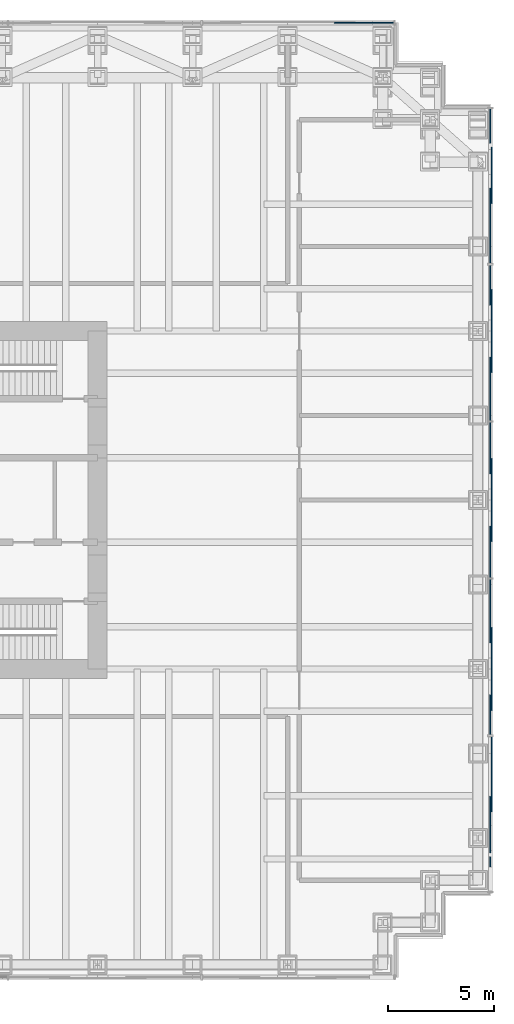
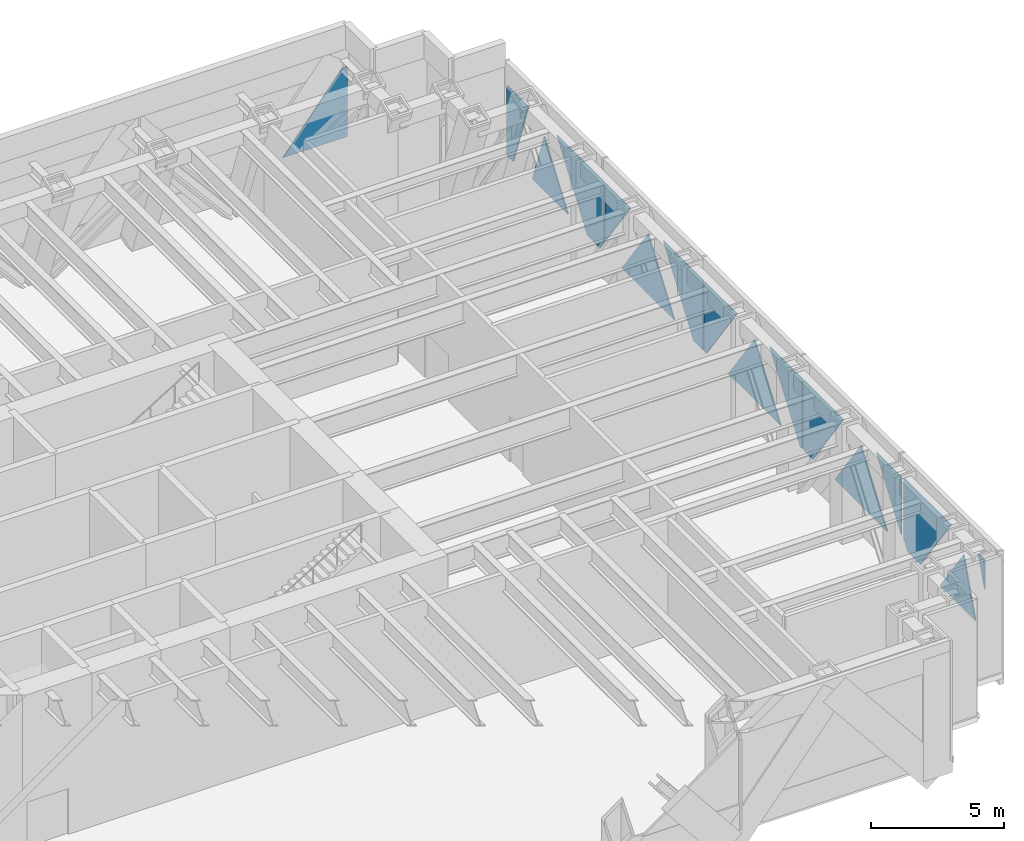
# One storey, part 12 of 16: 16 plates, 2 elements without a shape of their own.
"""IFC4 building model written with IfcOpenShell, lengths in metres."""

from ifc_helpers import new_model, si_unit, direction, frame, origin, place, context, subcontext, project, spatial, polyline, outline, extrude, material, layer, layer_set, type_object, element, aggregate, save


model = new_model("IFC4")

# Units and contexts
model_context = context("Model", 3, precision=1e-05, world=origin(), true_north=direction((0.0, 1.0)))
body_context = subcontext(model_context, "Body", "Model", "MODEL_VIEW")
ifc_project = project(units=[si_unit("LENGTHUNIT", "METRE"), si_unit("AREAUNIT", "SQUARE_METRE"), si_unit("VOLUMEUNIT", "CUBIC_METRE"), si_unit("PLANEANGLEUNIT", "RADIAN"), si_unit("MASSUNIT", "GRAM", prefix="KILO")], contexts=[model_context])

# Site, building, storey
site_placement = place(None, origin())
site = spatial("IfcSite", under=ifc_project, at=site_placement, CompositionType="ELEMENT")
building_placement = place(site_placement, origin())
building = spatial("IfcBuilding", under=site, at=building_placement, Name="Rheinbord Bourse Tower", CompositionType="ELEMENT")
storey_placement = place(building_placement, frame((0.0, 0.0, 180.300048828125)))
storey = spatial("IfcBuildingStorey", under=building, at=storey_placement, Name="L40", CompositionType="ELEMENT", Elevation=180.300048828125)

# Curtain wall, plates
ifc_material_1 = material(Name="Dark glass and black aluminium", Category="aluminium")
curtain_wall_type = type_object("IfcCurtainWallType", Name="CW5 DARK GLASS CURTAIN WALL", PredefinedType="USERDEFINED", material=ifc_material_1)
curtain_wall_1_placement = place(storey_placement, origin())
curtain_wall_1 = element("IfcCurtainWall", 1, at=curtain_wall_1_placement, inside=storey, type_object=curtain_wall_type, Name="Curtain wall CW5 E L40", ObjectType="UNITISED CURTAIN WALL", PredefinedType="USERDEFINED")
ifc_material_2 = material(Name="Dark tinted triple insulating glass", Category="glass")
ifc_layer = layer(ifc_material_2, 0.050048828125)
ifc_layer_set = layer_set([ifc_layer], Name="CW5 DARK GLASS PANEL")
plate_type = type_object("IfcPlateType", Name="CW5 DARK GLASS PANEL", PredefinedType="CURTAIN_PANEL", material=ifc_layer_set)
plate_1_placement = place(storey_placement, frame((72.625, 7.10205078125, 4.349853515625), z_axis=(-1.0, 0.0, 0.0), x_axis=(0.0, -0.336347414078, -0.941737976851)))
plate_1 = element("IfcPlate", 2, at=plate_1_placement, type_object=plate_type, Name="CW5 glass facet 1", PredefinedType="CURTAIN_PANEL", context=body_context, shape_type="SweptSolid", body=[
    extrude(outline(polyline([(0.0, 0.0), (1.40380859375, 0.0), (0.15869140625, 0.444580078125), (0.0, 0.0)])), origin(), (0.0, 0.0, 1.0), 0.050048828125),
])
plate_2_placement = place(storey_placement, frame((72.625, 7.294921875, 1.14990234375), z_axis=(-1.0, 0.0, 0.0), x_axis=(0.0, 0.336873060387, 0.941550073647)))
plate_2 = element("IfcPlate", 3, at=plate_2_placement, type_object=plate_type, Name="CW5 glass facet 2", PredefinedType="CURTAIN_PANEL", context=body_context, shape_type="SweptSolid", body=[
    extrude(outline(polyline([(0.0, 0.0), (2.651123046875, 0.0), (0.902587890625, 2.522705078125), (0.0, 0.0)])), origin(), (0.0, 0.0, 1.0), 0.050048828125),
])
plate_3_placement = place(storey_placement, frame((72.68017578125, 11.52197265625, 1.14990234375), z_axis=(-1.0, 0.0, 0.0), x_axis=(0.0, -0.581971584449, 0.813209121256)))
plate_3 = element("IfcPlate", 4, at=plate_3_placement, type_object=plate_type, Name="CW5 glass facet 3", PredefinedType="CURTAIN_PANEL", context=body_context, shape_type="SweptSolid", body=[
    extrude(outline(polyline([(0.0, 0.0), (3.93505859375, 0.0), (1.8583984375, 2.901611328125), (-0.3779296875, 1.30126953125), (-0.556396484375, 0.777587890625), (0.0, 0.0)])), origin(), (0.0, 0.0, 1.0), 0.050048828125),
])
plate_4_placement = place(storey_placement, frame((72.625, 12.8798828125, 4.349853515625), z_axis=(-1.0, 0.0, 0.0), x_axis=(0.0, 1.0, 0.0)))
plate_4 = element("IfcPlate", 5, at=plate_4_placement, type_object=plate_type, Name="CW5 glass facet 1", PredefinedType="CURTAIN_PANEL", context=body_context, shape_type="SweptSolid", body=[
    extrude(outline(polyline([(0.0, 0.0), (1.88818359375, 0.0), (0.0, 2.637939453125), (0.0, 0.0)])), origin(), (0.0, 0.0, 1.0), 0.050048828125),
])
plate_5_placement = place(storey_placement, frame((72.68017578125, 14.02587890625, 1.14990234375), z_axis=(-1.0, 0.0, 0.0), x_axis=(0.0, 0.582034564553, 0.813164045975)))
plate_5 = element("IfcPlate", 6, at=plate_5_placement, type_object=plate_type, Name="CW5 glass facet 2", PredefinedType="CURTAIN_PANEL", context=body_context, shape_type="SweptSolid", body=[
    extrude(outline(polyline([(0.0, 0.0), (3.391845703125, 0.0), (2.298095703125, 3.21044921875), (0.0, 0.0)])), origin(), (0.0, 0.0, 1.0), 0.050048828125),
])
plate_6_placement = place(storey_placement, frame((72.625, 20.239990234375, 4.349853515625), z_axis=(-1.0, 0.0, 0.0), x_axis=(0.0, 0.0, -1.0)))
plate_6 = element("IfcPlate", 7, at=plate_6_placement, type_object=plate_type, Name="CW5 glass facet 3", PredefinedType="CURTAIN_PANEL", context=body_context, shape_type="SweptSolid", body=[
    extrude(outline(polyline([(0.0, 0.0), (3.199951171875, 0.0), (3.199951171875, 0.718017578125), (0.0, 3.008056640625), (0.0, 0.0)])), origin(), (0.0, 0.0, 1.0), 0.050048828125),
])
plate_7_placement = place(storey_placement, frame((72.625, 20.320068359375, 1.14990234375), z_axis=(-1.0, 0.0, 0.0), x_axis=(0.0, 0.0, 1.0)))
plate_7 = element("IfcPlate", 8, at=plate_7_placement, type_object=plate_type, Name="CW5 glass facet 1", PredefinedType="CURTAIN_PANEL", context=body_context, shape_type="SweptSolid", body=[
    extrude(outline(polyline([(0.0, 0.0), (3.199951171875, 0.0), (3.199951171875, 2.447998046875), (0.0, 0.157958984375), (0.0, 0.0)])), origin(), (0.0, 0.0, 1.0), 0.050048828125),
])
plate_8_placement = place(storey_placement, frame((72.68017578125, 22.02587890625, 1.14990234375), z_axis=(-1.0, 0.0, 0.0), x_axis=(0.0, 0.582034564553, 0.813164045975)))
plate_8 = element("IfcPlate", 9, at=plate_8_placement, type_object=plate_type, Name="CW5 glass facet 2", PredefinedType="CURTAIN_PANEL", context=body_context, shape_type="SweptSolid", body=[
    extrude(outline(polyline([(0.0, 0.0), (3.391845703125, 0.0), (2.298095703125, 3.21044921875), (0.0, 0.0)])), origin(), (0.0, 0.0, 1.0), 0.050048828125),
])
plate_9_placement = place(storey_placement, frame((72.625, 27.679931640625, 4.349853515625), z_axis=(-1.0, 0.0, 0.0), x_axis=(0.0, 0.0, -1.0)))
plate_9 = element("IfcPlate", 10, at=plate_9_placement, type_object=plate_type, Name="CW5 glass facet 3", PredefinedType="CURTAIN_PANEL", context=body_context, shape_type="SweptSolid", body=[
    extrude(outline(polyline([(0.0, 0.0), (3.199951171875, 0.0), (3.199951171875, 0.157958984375), (0.0, 2.447998046875), (0.0, 0.0)])), origin(), (0.0, 0.0, 1.0), 0.050048828125),
])
plate_10_placement = place(storey_placement, frame((72.625, 27.760009765625, 1.14990234375), z_axis=(-1.0, 0.0, 0.0), x_axis=(0.0, 0.0, 1.0)))
plate_10 = element("IfcPlate", 11, at=plate_10_placement, type_object=plate_type, Name="CW5 glass facet 1", PredefinedType="CURTAIN_PANEL", context=body_context, shape_type="SweptSolid", body=[
    extrude(outline(polyline([(0.0, 0.0), (3.199951171875, 0.0), (3.199951171875, 3.008056640625), (0.0, 0.718017578125), (0.0, 0.0)])), origin(), (0.0, 0.0, 1.0), 0.050048828125),
])
plate_11_placement = place(storey_placement, frame((72.68017578125, 30.02587890625, 1.14990234375), z_axis=(-1.0, 0.0, 0.0), x_axis=(0.0, 0.582034564553, 0.813164045975)))
plate_11 = element("IfcPlate", 12, at=plate_11_placement, type_object=plate_type, Name="CW5 glass facet 2", PredefinedType="CURTAIN_PANEL", context=body_context, shape_type="SweptSolid", body=[
    extrude(outline(polyline([(0.0, 0.0), (3.391845703125, 0.0), (2.298095703125, 3.21044921875), (0.0, 0.0)])), origin(), (0.0, 0.0, 1.0), 0.050048828125),
])
plate_12_placement = place(storey_placement, frame((72.625, 35.1201171875, 4.349853515625), z_axis=(-1.0, 0.0, 0.0), x_axis=(0.0, 0.0, -1.0)))
plate_12 = element("IfcPlate", 13, at=plate_12_placement, type_object=plate_type, Name="CW5 glass facet 3", PredefinedType="CURTAIN_PANEL", context=body_context, shape_type="SweptSolid", body=[
    extrude(outline(polyline([(0.0, 0.0), (2.637939453125, 0.0), (0.0, 1.88818359375), (0.0, 0.0)])), origin(), (0.0, 0.0, 1.0), 0.050048828125),
])
plate_13_placement = place(storey_placement, frame((72.625, 35.52197265625, 1.14990234375), z_axis=(-1.0, 0.0, 0.0), x_axis=(0.0, -0.581989238369, 0.813196486971)))
plate_13 = element("IfcPlate", 14, at=plate_13_placement, type_object=plate_type, Name="CW5 glass facet 1", PredefinedType="CURTAIN_PANEL", context=body_context, shape_type="SweptSolid", body=[
    extrude(outline(polyline([(0.0, 0.0), (0.55322265625, 0.0), (2.78955078125, 1.6005859375), (0.712890625, 4.501953125), (-0.556396484375, 0.77734375), (0.0, 0.0)])), origin(), (0.0, 0.0, 1.0), 0.050048828125),
])
plate_14_placement = place(storey_placement, frame((72.68017578125, 38.02587890625, 1.14990234375), z_axis=(-1.0, 0.0, 0.0), x_axis=(0.0, 0.581930214908, 0.813238725699)))
plate_14 = element("IfcPlate", 15, at=plate_14_placement, type_object=plate_type, Name="CW5 glass facet 2", PredefinedType="CURTAIN_PANEL", context=body_context, shape_type="SweptSolid", body=[
    extrude(outline(polyline([(0.0, 0.0), (3.0693359375, 0.0), (1.55908203125, 2.1787109375), (0.0, 0.0)])), origin(), (0.0, 0.0, 1.0), 0.050048828125),
])
plate_15_placement = place(storey_placement, frame((72.625, 42.52001953125, 4.349853515625), z_axis=(-1.0, 0.0, 0.0), x_axis=(0.0, 0.0, -1.0)))
plate_15 = element("IfcPlate", 16, at=plate_15_placement, type_object=plate_type, Name="CW5 glass facet 3", PredefinedType="CURTAIN_PANEL", context=body_context, shape_type="SweptSolid", body=[
    extrude(outline(polyline([(0.0, 0.0), (3.199951171875, 0.0), (3.199951171875, 0.47802734375), (0.0, 1.6220703125), (0.0, 0.0)])), origin(), (0.0, 0.0, 1.0), 0.050048828125),
])
aggregate(curtain_wall_1, [plate_1, plate_2, plate_3, plate_4, plate_5, plate_6, plate_7, plate_8, plate_9, plate_10, plate_11, plate_12, plate_13, plate_14, plate_15])

# Curtain wall, plate
curtain_wall_2_placement = place(storey_placement, origin())
curtain_wall_2 = element("IfcCurtainWall", 17, at=curtain_wall_2_placement, inside=storey, type_object=curtain_wall_type, Name="Curtain wall CW5 N L40", ObjectType="UNITISED CURTAIN WALL", PredefinedType="USERDEFINED")
plate_16_placement = place(storey_placement, frame((68.02001953125, 46.625, 1.14990234375), z_axis=(0.0, -1.0, 0.0), x_axis=(0.0, 0.0, 1.0)))
plate_16 = element("IfcPlate", 18, at=plate_16_placement, type_object=plate_type, Name="CW5 glass facet 1", PredefinedType="CURTAIN_PANEL", context=body_context, shape_type="SweptSolid", body=[
    extrude(outline(polyline([(0.0, 0.0), (3.199951171875, 0.0), (3.199951171875, 0.22705078125), (0.0, 2.802978515625), (0.0, 0.0)])), origin(), (0.0, 0.0, 1.0), 0.050048828125),
])
aggregate(curtain_wall_2, [plate_16])

save(model, "model.ifc")
